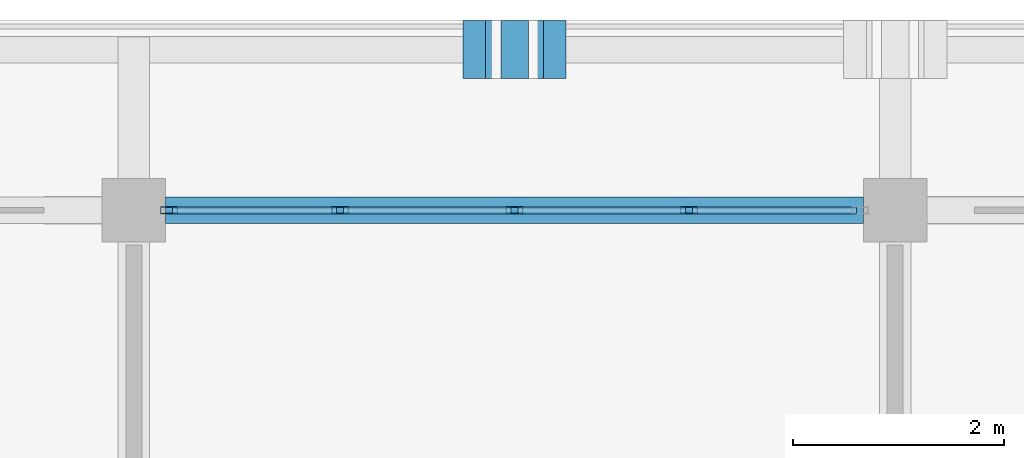
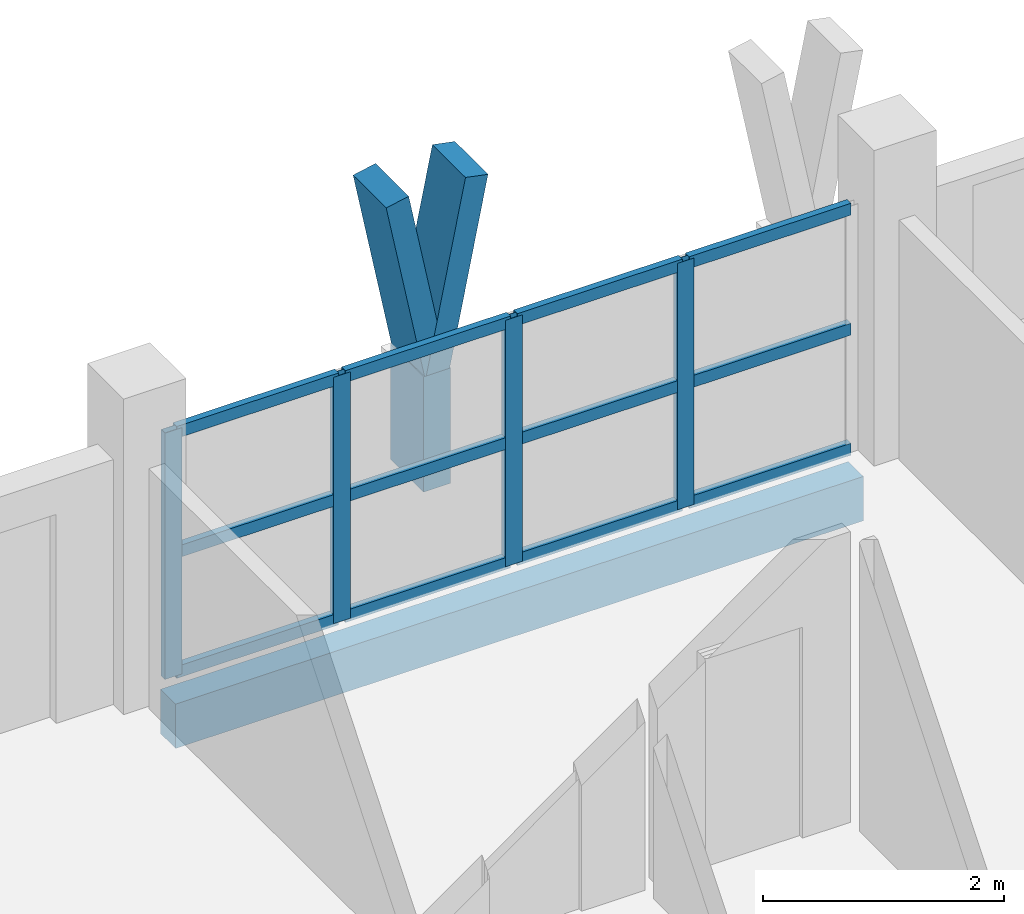
# One storey, part 15 of 65: 19 members, 1 beam, 1 element without a shape of its own.
"""IFC4 building model written with IfcOpenShell, lengths in metres."""

from ifc_helpers import new_model, si_unit, direction, frame, origin, origin_2d, place, context, subcontext, project, spatial, rectangle, hollow_rectangle, extrude, material, material_profile, profile_set, type_object, element, aggregate, save


model = new_model("IFC4")

# Units and contexts
model_context = context("Model", 3, precision=1e-05, world=origin(), true_north=direction((0.0, 1.0)))
body_context = subcontext(model_context, "Body", "Model", "MODEL_VIEW")
ifc_project = project(units=[si_unit("LENGTHUNIT", "METRE"), si_unit("AREAUNIT", "SQUARE_METRE"), si_unit("VOLUMEUNIT", "CUBIC_METRE"), si_unit("PLANEANGLEUNIT", "RADIAN"), si_unit("MASSUNIT", "GRAM", prefix="KILO")], contexts=[model_context])

# Site, building, storey
site_placement = place(None, origin())
site = spatial("IfcSite", under=ifc_project, at=site_placement, CompositionType="ELEMENT")
building_placement = place(site_placement, origin())
building = spatial("IfcBuilding", under=site, at=building_placement, Name="Suanplinth Sawtooth Commons", CompositionType="ELEMENT")
storey_placement = place(building_placement, frame((0.0, 0.0, 28.300048828125)))
storey = spatial("IfcBuildingStorey", under=building, at=storey_placement, Name="L08", CompositionType="ELEMENT", Elevation=28.300048828125)

# Beam
ifc_material_1 = material(Name="Precast concrete C40/50", Category="concrete")
ifc_material_profile_1 = material_profile(ifc_material_1, rectangle(XDim=0.25, YDim=0.449951171875, at=origin_2d()), Name="PC-SP 250x450")
ifc_profile_set_1 = profile_set([ifc_material_profile_1], Name="Precast concrete C40/50")
beam_type = type_object("IfcBeamType", Name="B-09", PredefinedType="SPANDREL", material=ifc_profile_set_1)
beam_placement = place(storey_placement, frame((72.300048828125, 122.39990234375, -0.43505859375), z_axis=(1.0, 0.0, 0.0), x_axis=(0.0, 1.0, 0.0)))
element("IfcBeam", 1, at=beam_placement, inside=storey, type_object=beam_type, Name="BMX-L08-A-10-17", PredefinedType="SPANDREL", context=body_context, shape_type="SweptSolid", body=[
    extrude(rectangle(XDim=0.25, YDim=0.449951171875, at=origin_2d()), origin(), (0.0, 0.0, 1.0), 6.599853515625),
])

# Members
ifc_material_2 = material(Name="Pigmented precast concrete C40/50", Category="concrete")
ifc_material_profile_2 = material_profile(ifc_material_2, rectangle(XDim=0.260009765625, YDim=0.550048828125, at=origin_2d()), Name="PC-FIN 260x550")
ifc_profile_set_2 = profile_set([ifc_material_profile_2], Name="Pigmented precast concrete C40/50")
member_type_1 = type_object("IfcMemberType", Name="M-09", PredefinedType="USERDEFINED", material=ifc_profile_set_2)
member_1_placement = place(storey_placement, frame((75.60009765625, 123.919921875, 0.0), z_axis=(0.0, 0.0, 1.0), x_axis=(1.0, 0.0, 0.0)))
element("IfcMember", 2, at=member_1_placement, inside=storey, type_object=member_type_1, Name="Y-Blade Stem L08-A-N-05", ObjectType="SHADING FIN", PredefinedType="USERDEFINED", context=body_context, shape_type="SweptSolid", body=[
    extrude(rectangle(XDim=0.260009765625, YDim=0.550048828125, at=origin_2d()), origin(), (0.0, 0.0, 1.0), 1.169921875),
])
ifc_material_profile_3 = material_profile(ifc_material_2, rectangle(XDim=0.219970703125, YDim=0.550048828125, at=origin_2d()), Name="PC-FIN 220x550")
ifc_profile_set_3 = profile_set([ifc_material_profile_3], Name="Pigmented precast concrete C40/50")
member_type_2 = type_object("IfcMemberType", Name="M-10", PredefinedType="USERDEFINED", material=ifc_profile_set_3)
member_2_placement = place(storey_placement, frame((75.60009765625, 123.919921875, 1.1298828125), z_axis=(-0.196406855569, 0.0, 0.980522486782), x_axis=(0.980522486782, 0.0, 0.196406855569)))
element("IfcMember", 3, at=member_2_placement, inside=storey, type_object=member_type_2, Name="Y-Blade Arm L L08-A-N-05", ObjectType="SHADING FIN", PredefinedType="USERDEFINED", context=body_context, shape_type="SweptSolid", body=[
    extrude(rectangle(XDim=0.219970703125, YDim=0.550048828125, at=origin_2d()), origin(), (0.0, 0.0, 1.0), 1.93798828125),
])
member_3_placement = place(storey_placement, frame((75.60009765625, 123.919921875, 1.1298828125), z_axis=(0.196285728346, 0.0, 0.980546741796), x_axis=(-0.980546741796, 0.0, 0.196285728346)))
element("IfcMember", 4, at=member_3_placement, inside=storey, type_object=member_type_2, Name="Y-Blade Arm R L08-A-N-05", ObjectType="SHADING FIN", PredefinedType="USERDEFINED", context=body_context, shape_type="SweptSolid", body=[
    extrude(rectangle(XDim=0.219970703125, YDim=0.550048828125, at=origin_2d()), origin(), (0.0, 0.0, 1.0), 1.937744140625),
])

# Curtain wall, members
ifc_material_3 = material(Name="Anodized aluminium and low-E glazing", Category="aluminium")
curtain_wall_type = type_object("IfcCurtainWallType", Name="CW-06", PredefinedType="USERDEFINED", material=ifc_material_3)
curtain_wall_placement = place(storey_placement, origin())
curtain_wall = element("IfcCurtainWall", 5, at=curtain_wall_placement, inside=storey, type_object=curtain_wall_type, Name="Curtain Wall CW-L08-A-LOUNGE-8", ObjectType="CURTAIN WALL", PredefinedType="USERDEFINED")
ifc_material_4 = material(Name="Anodized aluminium 6063-T6", Category="aluminium")
ifc_material_profile_4 = material_profile(ifc_material_4, hollow_rectangle(XDim=0.06494140625, YDim=0.159912109375, WallThickness=0.00390625, at=origin_2d()), Name="ALU-MUL 65x160")
ifc_profile_set_4 = profile_set([ifc_material_profile_4], Name="Anodized aluminium 6063-T6")
member_type_3 = type_object("IfcMemberType", Name="M-13", PredefinedType="MULLION", material=ifc_profile_set_4)
member_4_placement = place(storey_placement, frame((72.33251953125, 122.39990234375, 0.0), z_axis=(0.0, 0.0, 1.0), x_axis=(0.0, 1.0, 0.0)))
member_4 = element("IfcMember", 6, at=member_4_placement, type_object=member_type_3, Name="CW-06 mullion 1", PredefinedType="MULLION", context=body_context, shape_type="SweptSolid", body=[
    extrude(hollow_rectangle(XDim=0.06494140625, YDim=0.159912109375, WallThickness=0.00390625, at=origin_2d()), origin(), (0.0, 0.0, 1.0), 2.5),
])
member_5_placement = place(storey_placement, frame((73.949951171875, 122.39990234375, 0.0), z_axis=(0.0, 0.0, 1.0), x_axis=(0.0, 1.0, 0.0)))
member_5 = element("IfcMember", 7, at=member_5_placement, type_object=member_type_3, Name="CW-06 mullion 2", PredefinedType="MULLION", context=body_context, shape_type="SweptSolid", body=[
    extrude(hollow_rectangle(XDim=0.06494140625, YDim=0.159912109375, WallThickness=0.00390625, at=origin_2d()), origin(), (0.0, 0.0, 1.0), 2.5),
])
member_6_placement = place(storey_placement, frame((75.60009765625, 122.39990234375, 0.0), z_axis=(0.0, 0.0, 1.0), x_axis=(0.0, 1.0, 0.0)))
member_6 = element("IfcMember", 8, at=member_6_placement, type_object=member_type_3, Name="CW-06 mullion 3", PredefinedType="MULLION", context=body_context, shape_type="SweptSolid", body=[
    extrude(hollow_rectangle(XDim=0.06494140625, YDim=0.159912109375, WallThickness=0.00390625, at=origin_2d()), origin(), (0.0, 0.0, 1.0), 2.5),
])
member_7_placement = place(storey_placement, frame((77.25, 122.39990234375, 0.0), z_axis=(0.0, 0.0, 1.0), x_axis=(0.0, 1.0, 0.0)))
member_7 = element("IfcMember", 9, at=member_7_placement, type_object=member_type_3, Name="CW-06 mullion 4", PredefinedType="MULLION", context=body_context, shape_type="SweptSolid", body=[
    extrude(hollow_rectangle(XDim=0.06494140625, YDim=0.159912109375, WallThickness=0.00390625, at=origin_2d()), origin(), (0.0, 0.0, 1.0), 2.5),
])
ifc_material_profile_5 = material_profile(ifc_material_4, hollow_rectangle(XDim=0.06494140625, YDim=0.1201171875, WallThickness=0.00390625, at=origin_2d()), Name="ALU-TRN 65x120")
ifc_profile_set_5 = profile_set([ifc_material_profile_5], Name="Anodized aluminium 6063-T6")
member_type_4 = type_object("IfcMemberType", Name="M-15", PredefinedType="USERDEFINED", material=ifc_profile_set_5)
member_8_placement = place(storey_placement, frame((72.364990234375, 122.39990234375, 0.032470703125), z_axis=(1.0, 0.0, 0.0), x_axis=(0.0, 1.0, 0.0)))
member_8 = element("IfcMember", 10, at=member_8_placement, type_object=member_type_4, Name="CW-06 transom 1.1", ObjectType="TRANSOM", PredefinedType="USERDEFINED", context=body_context, shape_type="SweptSolid", body=[
    extrude(hollow_rectangle(XDim=0.06494140625, YDim=0.1201171875, WallThickness=0.00390625, at=origin_2d()), origin(), (0.0, 0.0, 1.0), 1.552490234375),
])
member_9_placement = place(storey_placement, frame((72.364990234375, 122.39990234375, 1.25), z_axis=(1.0, 0.0, 0.0), x_axis=(0.0, 1.0, 0.0)))
member_9 = element("IfcMember", 11, at=member_9_placement, type_object=member_type_4, Name="CW-06 transom 1.2", ObjectType="TRANSOM", PredefinedType="USERDEFINED", context=body_context, shape_type="SweptSolid", body=[
    extrude(hollow_rectangle(XDim=0.06494140625, YDim=0.1201171875, WallThickness=0.00390625, at=origin_2d()), origin(), (0.0, 0.0, 1.0), 1.552490234375),
])
member_10_placement = place(storey_placement, frame((72.364990234375, 122.39990234375, 2.467529296875), z_axis=(1.0, 0.0, 0.0), x_axis=(0.0, 1.0, 0.0)))
member_10 = element("IfcMember", 12, at=member_10_placement, type_object=member_type_4, Name="CW-06 transom 1.3", ObjectType="TRANSOM", PredefinedType="USERDEFINED", context=body_context, shape_type="SweptSolid", body=[
    extrude(hollow_rectangle(XDim=0.06494140625, YDim=0.1201171875, WallThickness=0.00390625, at=origin_2d()), origin(), (0.0, 0.0, 1.0), 1.552490234375),
])
member_11_placement = place(storey_placement, frame((73.982421875, 122.39990234375, 0.032470703125), z_axis=(1.0, 0.0, 0.0), x_axis=(0.0, 1.0, 0.0)))
member_11 = element("IfcMember", 13, at=member_11_placement, type_object=member_type_4, Name="CW-06 transom 2.1", ObjectType="TRANSOM", PredefinedType="USERDEFINED", context=body_context, shape_type="SweptSolid", body=[
    extrude(hollow_rectangle(XDim=0.06494140625, YDim=0.1201171875, WallThickness=0.00390625, at=origin_2d()), origin(), (0.0, 0.0, 1.0), 1.5849609375),
])
member_12_placement = place(storey_placement, frame((73.982421875, 122.39990234375, 1.25), z_axis=(1.0, 0.0, 0.0), x_axis=(0.0, 1.0, 0.0)))
member_12 = element("IfcMember", 14, at=member_12_placement, type_object=member_type_4, Name="CW-06 transom 2.2", ObjectType="TRANSOM", PredefinedType="USERDEFINED", context=body_context, shape_type="SweptSolid", body=[
    extrude(hollow_rectangle(XDim=0.06494140625, YDim=0.1201171875, WallThickness=0.00390625, at=origin_2d()), origin(), (0.0, 0.0, 1.0), 1.5849609375),
])
member_13_placement = place(storey_placement, frame((73.982421875, 122.39990234375, 2.467529296875), z_axis=(1.0, 0.0, 0.0), x_axis=(0.0, 1.0, 0.0)))
member_13 = element("IfcMember", 15, at=member_13_placement, type_object=member_type_4, Name="CW-06 transom 2.3", ObjectType="TRANSOM", PredefinedType="USERDEFINED", context=body_context, shape_type="SweptSolid", body=[
    extrude(hollow_rectangle(XDim=0.06494140625, YDim=0.1201171875, WallThickness=0.00390625, at=origin_2d()), origin(), (0.0, 0.0, 1.0), 1.5849609375),
])
member_14_placement = place(storey_placement, frame((75.632568359375, 122.39990234375, 0.032470703125), z_axis=(1.0, 0.0, 0.0), x_axis=(0.0, 1.0, 0.0)))
member_14 = element("IfcMember", 16, at=member_14_placement, type_object=member_type_4, Name="CW-06 transom 3.1", ObjectType="TRANSOM", PredefinedType="USERDEFINED", context=body_context, shape_type="SweptSolid", body=[
    extrude(hollow_rectangle(XDim=0.06494140625, YDim=0.1201171875, WallThickness=0.00390625, at=origin_2d()), origin(), (0.0, 0.0, 1.0), 1.5849609375),
])
member_15_placement = place(storey_placement, frame((75.632568359375, 122.39990234375, 1.25), z_axis=(1.0, 0.0, 0.0), x_axis=(0.0, 1.0, 0.0)))
member_15 = element("IfcMember", 17, at=member_15_placement, type_object=member_type_4, Name="CW-06 transom 3.2", ObjectType="TRANSOM", PredefinedType="USERDEFINED", context=body_context, shape_type="SweptSolid", body=[
    extrude(hollow_rectangle(XDim=0.06494140625, YDim=0.1201171875, WallThickness=0.00390625, at=origin_2d()), origin(), (0.0, 0.0, 1.0), 1.5849609375),
])
member_16_placement = place(storey_placement, frame((75.632568359375, 122.39990234375, 2.467529296875), z_axis=(1.0, 0.0, 0.0), x_axis=(0.0, 1.0, 0.0)))
member_16 = element("IfcMember", 18, at=member_16_placement, type_object=member_type_4, Name="CW-06 transom 3.3", ObjectType="TRANSOM", PredefinedType="USERDEFINED", context=body_context, shape_type="SweptSolid", body=[
    extrude(hollow_rectangle(XDim=0.06494140625, YDim=0.1201171875, WallThickness=0.00390625, at=origin_2d()), origin(), (0.0, 0.0, 1.0), 1.5849609375),
])
member_17_placement = place(storey_placement, frame((77.282470703125, 122.39990234375, 0.032470703125), z_axis=(1.0, 0.0, 0.0), x_axis=(0.0, 1.0, 0.0)))
member_17 = element("IfcMember", 19, at=member_17_placement, type_object=member_type_4, Name="CW-06 transom 4.1", ObjectType="TRANSOM", PredefinedType="USERDEFINED", context=body_context, shape_type="SweptSolid", body=[
    extrude(hollow_rectangle(XDim=0.06494140625, YDim=0.1201171875, WallThickness=0.00390625, at=origin_2d()), origin(), (0.0, 0.0, 1.0), 1.552490234375),
])
member_18_placement = place(storey_placement, frame((77.282470703125, 122.39990234375, 1.25), z_axis=(1.0, 0.0, 0.0), x_axis=(0.0, 1.0, 0.0)))
member_18 = element("IfcMember", 20, at=member_18_placement, type_object=member_type_4, Name="CW-06 transom 4.2", ObjectType="TRANSOM", PredefinedType="USERDEFINED", context=body_context, shape_type="SweptSolid", body=[
    extrude(hollow_rectangle(XDim=0.06494140625, YDim=0.1201171875, WallThickness=0.00390625, at=origin_2d()), origin(), (0.0, 0.0, 1.0), 1.552490234375),
])
member_19_placement = place(storey_placement, frame((77.282470703125, 122.39990234375, 2.467529296875), z_axis=(1.0, 0.0, 0.0), x_axis=(0.0, 1.0, 0.0)))
member_19 = element("IfcMember", 21, at=member_19_placement, type_object=member_type_4, Name="CW-06 transom 4.3", ObjectType="TRANSOM", PredefinedType="USERDEFINED", context=body_context, shape_type="SweptSolid", body=[
    extrude(hollow_rectangle(XDim=0.06494140625, YDim=0.1201171875, WallThickness=0.00390625, at=origin_2d()), origin(), (0.0, 0.0, 1.0), 1.552490234375),
])
aggregate(curtain_wall, [member_4, member_5, member_6, member_7, member_8, member_9, member_10, member_11, member_12, member_13, member_14, member_15, member_16, member_17, member_18, member_19])

save(model, "model.ifc")
